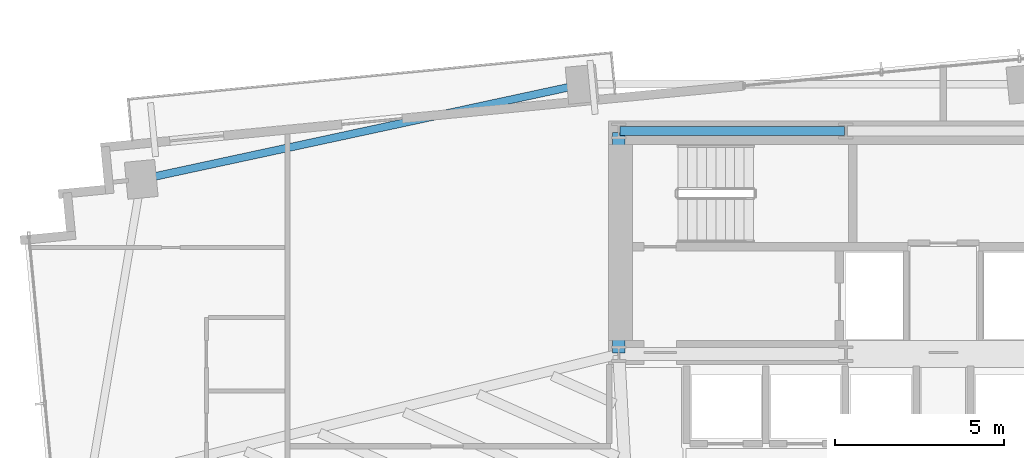
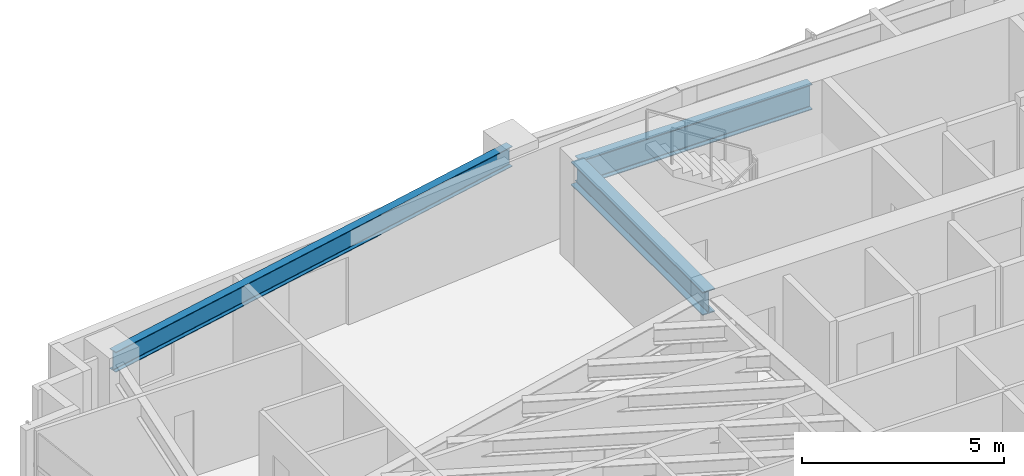
# One storey, part 9 of 25: 3 beams.
"""IFC4 building model written with IfcOpenShell, lengths in metres."""

from ifc_helpers import new_model, si_unit, direction, frame, origin, origin_2d, place, context, subcontext, project, spatial, i_section, extrude, source, transform, mapped, material, material_profile, profile_set, type_object, type_shapes, element, save


model = new_model("IFC4")

# Units and contexts
model_context = context("Model", 3, precision=1e-05, world=origin(), true_north=direction((0.0, 1.0)))
body_context = subcontext(model_context, "Body", "Model", "MODEL_VIEW")
ifc_project = project(units=[si_unit("LENGTHUNIT", "METRE"), si_unit("AREAUNIT", "SQUARE_METRE"), si_unit("VOLUMEUNIT", "CUBIC_METRE"), si_unit("PLANEANGLEUNIT", "RADIAN"), si_unit("MASSUNIT", "GRAM", prefix="KILO")], contexts=[model_context])

# Site, building, storey
site_placement = place(None, origin())
site = spatial("IfcSite", under=ifc_project, at=site_placement, CompositionType="ELEMENT")
building_placement = place(site_placement, origin())
building = spatial("IfcBuilding", under=site, at=building_placement, Name="Astriad Promenade Condominiums", CompositionType="ELEMENT")
storey_placement = place(building_placement, frame((0.0, 0.0, 81.0)))
storey = spatial("IfcBuildingStorey", under=building, at=storey_placement, Name="L22", CompositionType="ELEMENT", Elevation=81.0)

# Beams
ifc_material = material(Name="Steel ASTM A992 Grade 50", Category="steel")
ifc_material_profile_1 = material_profile(ifc_material, i_section(OverallWidth=0.267822265625, OverallDepth=0.76953125, WebThickness=0.015625, FlangeThickness=0.025390625, FilletRadius=0.021484375, at=origin_2d()), Name="W30X132")
ifc_profile_set_1 = profile_set([ifc_material_profile_1], Name="Steel ASTM A992 Grade 50")
beam_type_1 = type_object("IfcBeamType", Name="STEEL FLOOR GIRDER W30X132", PredefinedType="BEAM", material=ifc_profile_set_1)
shared_shape_1 = source(origin(), body_context, "Body", "SweptSolid", [
    extrude(i_section(OverallWidth=0.267822265625, OverallDepth=0.76953125, WebThickness=0.015625, FlangeThickness=0.025390625, FilletRadius=0.021484375, at=origin_2d()), origin(), (0.0, 0.0, 1.0), 6.64013671875),
])
type_shapes(beam_type_1, [shared_shape_1])
beam_1_placement = place(storey_placement, frame((26.43994140625, 24.0, 2.55517578125), z_axis=(1.0, 0.0, 0.0), x_axis=(0.0, 1.0, 0.0)))
element("IfcBeam", 1, at=beam_1_placement, inside=storey, type_object=beam_type_1, Name="Core Ring Beam CG-N1-L22", PredefinedType="BEAM", context=body_context, shape_type="MappedRepresentation", body=[
    mapped(shared_shape_1, transform((0.0, 0.0, 0.0), scale=1.0)),
])
ifc_material_profile_2 = material_profile(ifc_material, i_section(OverallWidth=0.35791015625, OverallDepth=0.706298828125, WebThickness=0.018310546875, FlangeThickness=0.0302734375, FilletRadius=0.020263671875, at=origin_2d()), Name="W27X178")
ifc_profile_set_2 = profile_set([ifc_material_profile_2], Name="Steel ASTM A992 Grade 50")
beam_type_2 = type_object("IfcBeamType", Name="STEEL FLOOR GIRDER W27X178", PredefinedType="BEAM", material=ifc_profile_set_2)
shared_shape_2 = source(origin(), body_context, "Body", "SweptSolid", [
    extrude(i_section(OverallWidth=0.35791015625, OverallDepth=0.706298828125, WebThickness=0.018310546875, FlangeThickness=0.0302734375, FilletRadius=0.020263671875, at=origin_2d()), origin(), (0.0, 0.0, 1.0), 6.52001953125),
])
type_shapes(beam_type_2, [shared_shape_2])
beam_2_placement = place(storey_placement, frame((26.39990234375, 17.43994140625, 2.5869140625), z_axis=(0.0, 1.0, 0.0), x_axis=(-1.0, 0.0, 0.0)))
element("IfcBeam", 2, at=beam_2_placement, inside=storey, type_object=beam_type_2, Name="Core Ring Beam CG-W1-L22", PredefinedType="BEAM", context=body_context, shape_type="MappedRepresentation", body=[
    mapped(shared_shape_2, transform((0.0, 0.0, 0.0), scale=1.0)),
])
ifc_material_profile_3 = material_profile(ifc_material, i_section(OverallWidth=0.22900390625, OverallDepth=0.612060546875, WebThickness=0.011962890625, FlangeThickness=0.01953125, FilletRadius=0.017822265625, at=origin_2d()), Name="W24X84")
ifc_profile_set_3 = profile_set([ifc_material_profile_3], Name="Steel ASTM A992 Grade 50")
beam_type_3 = type_object("IfcBeamType", Name="STEEL SPANDREL BEAM W24X84", PredefinedType="SPANDREL", material=ifc_profile_set_3)
shared_shape_3 = source(origin(), body_context, "Body", "SweptSolid", [
    extrude(i_section(OverallWidth=0.22900390625, OverallDepth=0.612060546875, WebThickness=0.011962890625, FlangeThickness=0.01953125, FilletRadius=0.017822265625, at=origin_2d()), origin(), (0.0, 0.0, 1.0), 13.25927734375),
])
type_shapes(beam_type_3, [shared_shape_3])
beam_3_placement = place(storey_placement, frame((25.27587890625, 25.37158203125, 2.6337890625), z_axis=(-0.977531608864, -0.210788884127, 0.0), x_axis=(0.210788884127, -0.977531608864, 0.0)))
element("IfcBeam", 3, at=beam_3_placement, inside=storey, type_object=beam_type_3, Name="Perimeter Spandrel Beam SP-N1-L22", PredefinedType="SPANDREL", context=body_context, shape_type="MappedRepresentation", body=[
    mapped(shared_shape_3, transform((0.0, 0.0, 0.0), scale=1.0)),
])

save(model, "model.ifc")
